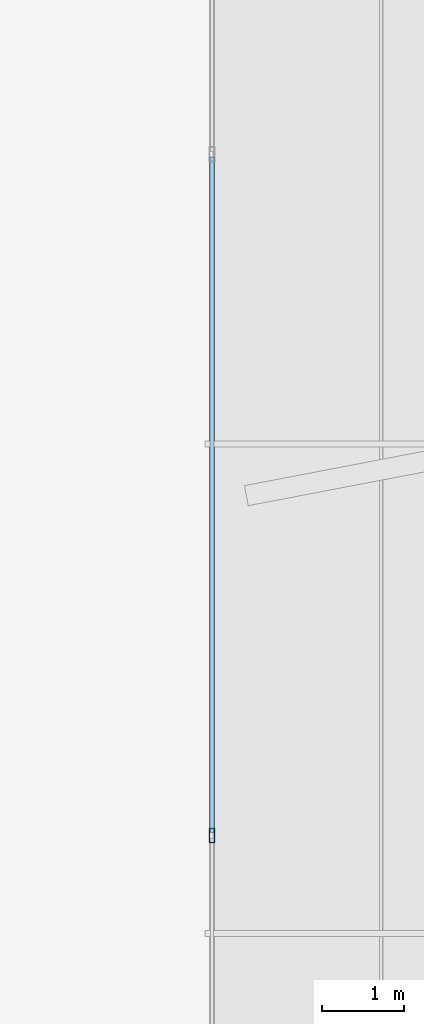
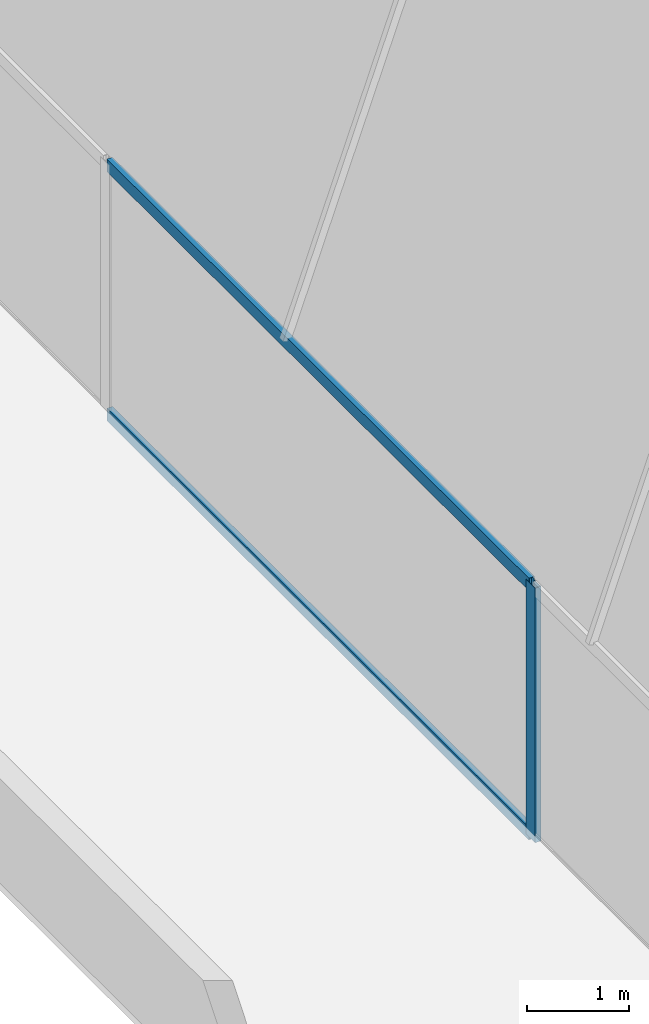
# One storey, part 9 of 32: 3 members, 1 element without a shape of its own.
"""IFC4 building model written with IfcOpenShell, lengths in metres."""

from ifc_helpers import new_model, si_unit, direction, frame, origin, origin_2d, place, context, subcontext, project, spatial, hollow_rectangle, extrude, source, transform, mapped, material, layer, layer_set, material_profile, profile_set, type_object, element, aggregate, save


model = new_model("IFC4")

# Units and contexts
model_context = context("Model", 3, precision=1e-05, world=origin(), true_north=direction((0.0, 1.0)))
body_context = subcontext(model_context, "Body", "Model", "MODEL_VIEW")
ifc_project = project(units=[si_unit("LENGTHUNIT", "METRE"), si_unit("AREAUNIT", "SQUARE_METRE"), si_unit("VOLUMEUNIT", "CUBIC_METRE"), si_unit("PLANEANGLEUNIT", "RADIAN"), si_unit("MASSUNIT", "GRAM", prefix="KILO")], contexts=[model_context])

# Site, building, storey
site_placement = place(None, origin())
site = spatial("IfcSite", under=ifc_project, at=site_placement, CompositionType="ELEMENT")
building_placement = place(site_placement, origin())
building = spatial("IfcBuilding", under=site, at=building_placement, Name="Sumidabori Civic Tower", CompositionType="ELEMENT")
storey_placement = place(building_placement, frame((0.0, 0.0, 298.199951171875)))
storey = spatial("IfcBuildingStorey", under=building, at=storey_placement, Name="RF Roof Crown", CompositionType="ELEMENT", Elevation=298.199951171875)

# Curtain wall, members
ifc_material = material(Name="Anodised Bronze Aluminium AW-6063-T6", Category="aluminium")
ifc_layer = layer(ifc_material, 0.179931640625, Name="Anodised Bronze Aluminium AW-6063-T6")
ifc_layer_set = layer_set([ifc_layer], Name="Anodised Bronze Aluminium AW-6063-T6")
curtain_wall_type = type_object("IfcCurtainWallType", Name="CW-SYS-6", PredefinedType="NOTDEFINED", material=ifc_layer_set)
curtain_wall_placement = place(storey_placement, origin())
curtain_wall = element("IfcCurtainWall", 1, at=curtain_wall_placement, inside=storey, type_object=curtain_wall_type, Name="Glass-Point Crown West Cheek Curtain Wall", PredefinedType="NOTDEFINED")
ifc_material_profile_1 = material_profile(ifc_material, hollow_rectangle(XDim=0.070068359375, YDim=0.179931640625, WallThickness=0.006103515625, at=origin_2d()), Name="ALU MULLION 180x70")
ifc_profile_set_1 = profile_set([ifc_material_profile_1], Name="Anodised Bronze Aluminium AW-6063-T6")
member_type_1 = type_object("IfcMemberType", Name="CW-MUL-180", PredefinedType="MULLION", material=ifc_profile_set_1)
shared_shape_1 = source(origin(), body_context, "Body", "SweptSolid", [
    extrude(hollow_rectangle(XDim=0.070068359375, YDim=0.179931640625, WallThickness=0.006103515625, at=origin_2d()), origin(), (0.0, 0.0, 1.0), 3.050048828125),
])
member_1_placement = place(storey_placement, frame((-16.60009765625, 6.0, 0.0), z_axis=(0.0, 0.0, 1.0), x_axis=(1.0, 0.0, 0.0)))
member_1 = element("IfcMember", 2, at=member_1_placement, type_object=member_type_1, Name="CW-6 mullion 3", PredefinedType="MULLION", context=body_context, shape_type="MappedRepresentation", body=[
    mapped(shared_shape_1, transform((0.0, 0.0, 0.0), x_axis=(1.0, 0.0, 0.0), y_axis=(0.0, 1.0, 0.0), z_axis=(0.0, 0.0, 1.0), scale=1.0)),
])
ifc_material_profile_2 = material_profile(ifc_material, hollow_rectangle(XDim=0.06494140625, YDim=0.14990234375, WallThickness=0.0048828125, at=origin_2d()), Name="ALU TRANSOM 150x65")
ifc_profile_set_2 = profile_set([ifc_material_profile_2], Name="Anodised Bronze Aluminium AW-6063-T6")
member_type_2 = type_object("IfcMemberType", Name="CW-TRN-150", PredefinedType="USERDEFINED", material=ifc_profile_set_2)
shared_shape_2 = source(origin(), body_context, "Body", "SweptSolid", [
    extrude(hollow_rectangle(XDim=0.06494140625, YDim=0.14990234375, WallThickness=0.0048828125, at=origin_2d()), origin(), (0.0, 0.0, 1.0), 8.280029296875),
])
member_2_placement = place(storey_placement, frame((-16.60009765625, 14.31494140625, 0.032470703125), z_axis=(0.0, -1.0, 0.0), x_axis=(1.0, 0.0, 0.0)))
member_2 = element("IfcMember", 3, at=member_2_placement, type_object=member_type_2, Name="CW-6 transom 2.1", ObjectType="TRANSOM", PredefinedType="USERDEFINED", context=body_context, shape_type="MappedRepresentation", body=[
    mapped(shared_shape_2, transform((0.0, 0.0, 0.0), x_axis=(1.0, 0.0, 0.0), y_axis=(0.0, 1.0, 0.0), z_axis=(0.0, 0.0, 1.0), scale=1.0)),
])
member_3_placement = place(storey_placement, frame((-16.60009765625, 14.31494140625, 3.017578125), z_axis=(0.0, -1.0, 0.0), x_axis=(1.0, 0.0, 0.0)))
member_3 = element("IfcMember", 4, at=member_3_placement, type_object=member_type_2, Name="CW-6 transom 2.2", ObjectType="TRANSOM", PredefinedType="USERDEFINED", context=body_context, shape_type="MappedRepresentation", body=[
    mapped(shared_shape_2, transform((0.0, 0.0, 0.0), x_axis=(1.0, 0.0, 0.0), y_axis=(0.0, 1.0, 0.0), z_axis=(0.0, 0.0, 1.0), scale=1.0)),
])
aggregate(curtain_wall, [member_1, member_2, member_3])

save(model, "model.ifc")
